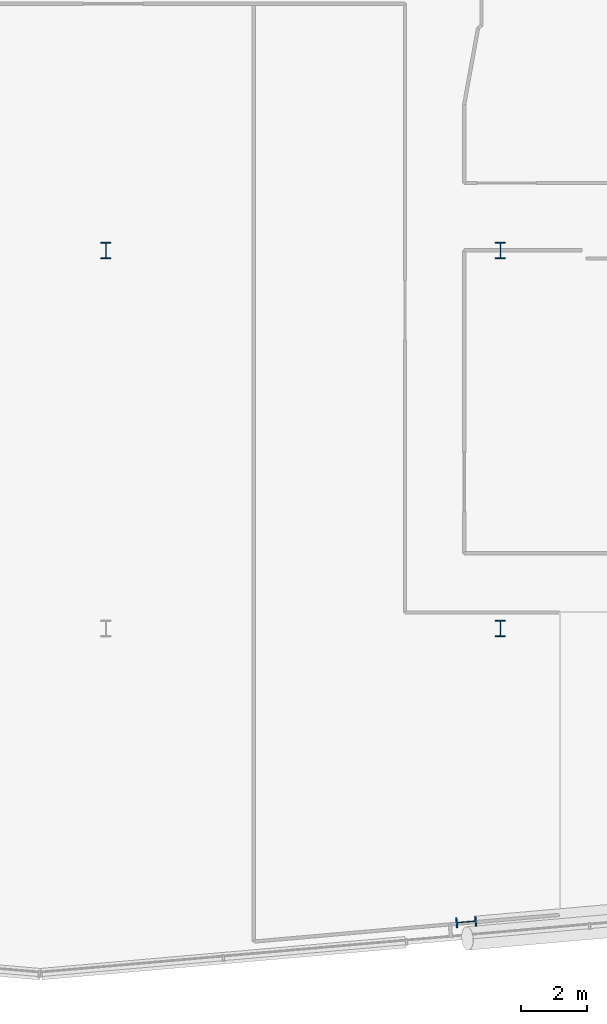
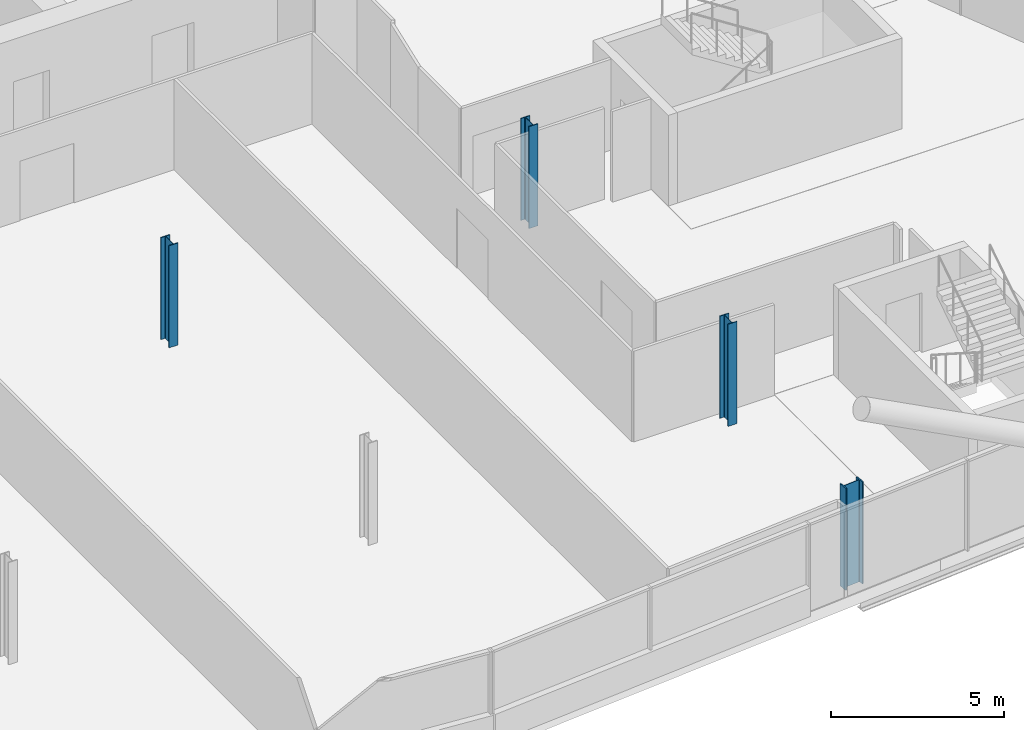
# One storey, part 2 of 26: 4 columns.
"""IFC4 building model written with IfcOpenShell, lengths in metres."""

from ifc_helpers import new_model, si_unit, direction, frame, origin, origin_2d, place, context, subcontext, project, spatial, i_section, extrude, material, material_profile, profile_set, type_object, element, save


model = new_model("IFC4")

# Units and contexts
model_context = context("Model", 3, precision=1e-05, world=origin(), true_north=direction((0.0, 1.0)))
body_context = subcontext(model_context, "Body", "Model", "MODEL_VIEW")
ifc_project = project(units=[si_unit("LENGTHUNIT", "METRE"), si_unit("AREAUNIT", "SQUARE_METRE"), si_unit("VOLUMEUNIT", "CUBIC_METRE"), si_unit("PLANEANGLEUNIT", "RADIAN"), si_unit("MASSUNIT", "GRAM", prefix="KILO")], contexts=[model_context])

# Site, building, storey
site_placement = place(None, origin())
site = spatial("IfcSite", under=ifc_project, at=site_placement, CompositionType="ELEMENT")
building_placement = place(site_placement, origin())
building = spatial("IfcBuilding", under=site, at=building_placement, Name="Wharfspan Tower", CompositionType="ELEMENT")
storey_placement = place(building_placement, frame((0.0, 0.0, 180.699951)))
storey = spatial("IfcBuildingStorey", under=building, at=storey_placement, Name="L44", CompositionType="ELEMENT", Elevation=180.699951)

# Columns
ifc_material = material(Name="Steel S355J2", Category="steel")
ifc_material_profile_1 = material_profile(ifc_material, i_section(OverallWidth=0.300049, OverallDepth=0.5, WebThickness=0.014404, FlangeThickness=0.028076, FilletRadius=0.0271, at=origin_2d()))
ifc_profile_set_1 = profile_set([ifc_material_profile_1], Name="Steel S355J2")
column_type_1 = type_object("IfcColumnType", Name="Column HEB 500", PredefinedType="COLUMN", material=ifc_profile_set_1)
for number, where, z_axis, x_axis, name in (
    (1, (60.0, 11.5, 0.0), (0.0, 0.0, 1.0), (1.0, 0.0, 0.0), "Interior column I.1.4 L44"),
    (2, (48.0, 23.0, 0.0), (0.0, 0.0, 1.0), (1.0, 0.0, 0.0), "Interior column I.2.3 L44"),
    (3, (60.0, 23.0, 0.0), (0.0, 0.0, 1.0), (1.0, 0.0, 0.0), "Interior column I.2.4 L44"),
):
    element("IfcColumn", number, at=place(storey_placement, frame(where, z_axis=z_axis, x_axis=x_axis)), inside=storey, type_object=column_type_1, Name=name, PredefinedType="COLUMN", context=body_context, shape_type="SweptSolid", body=[
        extrude(i_section(OverallWidth=0.300049, OverallDepth=0.5, WebThickness=0.014404, FlangeThickness=0.028076, FilletRadius=0.0271, at=origin_2d()), origin(), (0.0, 0.0, 1.0), 3.600098),
    ])
ifc_material_profile_2 = material_profile(ifc_material, i_section(OverallWidth=0.304932, OverallDepth=0.620117, WebThickness=0.020996, FlangeThickness=0.040039, FilletRadius=0.0271, at=origin_2d()))
ifc_profile_set_2 = profile_set([ifc_material_profile_2], Name="Steel S355J2")
column_type_2 = type_object("IfcColumnType", Name="Column HEM 600", PredefinedType="COLUMN", material=ifc_profile_set_2)
column_placement = place(storey_placement, frame((58.960693, 2.573486, 0.0), z_axis=(0.0, 0.0, 1.0), x_axis=(0.087156, -0.996198, 0.0)))
element("IfcColumn", 4, at=column_placement, inside=storey, type_object=column_type_2, Name="Perimeter column PS2.1 L44", PredefinedType="COLUMN", context=body_context, shape_type="SweptSolid", body=[
    extrude(i_section(OverallWidth=0.304932, OverallDepth=0.620117, WebThickness=0.020996, FlangeThickness=0.040039, FilletRadius=0.0271, at=origin_2d()), origin(), (0.0, 0.0, 1.0), 3.600098),
])

save(model, "model.ifc")
